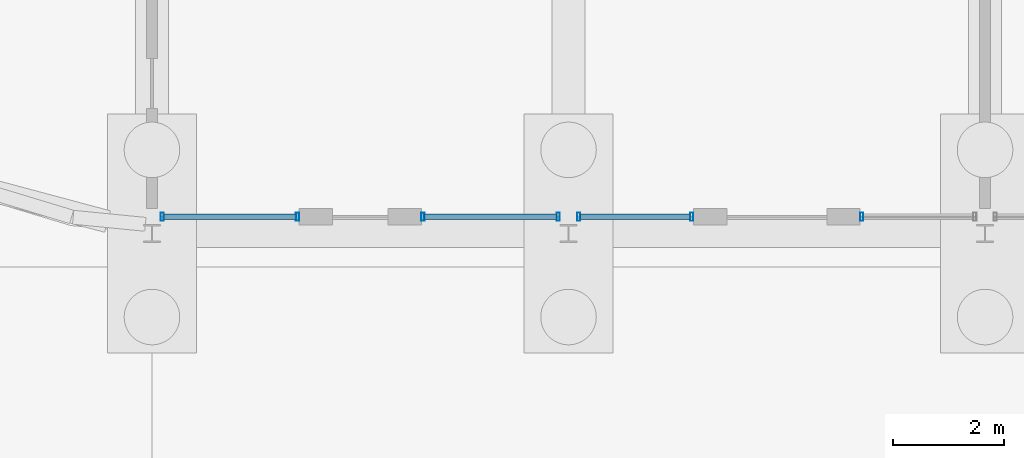
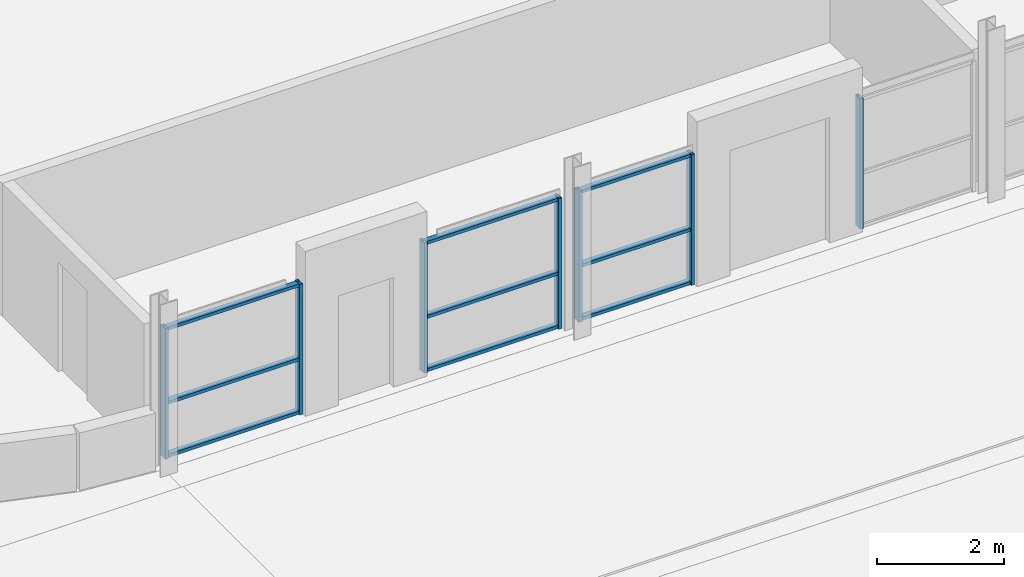
# One storey, part 48 of 130: 16 members, 4 elements without a shape of their own.
"""IFC4 building model written with IfcOpenShell, lengths in metres."""

from ifc_helpers import new_model, si_unit, direction, frame, origin, origin_2d, place, context, subcontext, project, spatial, hollow_rectangle, extrude, material, material_profile, profile_set, type_object, element, aggregate, save


model = new_model("IFC4")

# Units and contexts
model_context = context("Model", 3, precision=1e-05, world=origin(), true_north=direction((0.0, 1.0)))
body_context = subcontext(model_context, "Body", "Model", "MODEL_VIEW")
ifc_project = project(units=[si_unit("LENGTHUNIT", "METRE"), si_unit("AREAUNIT", "SQUARE_METRE"), si_unit("VOLUMEUNIT", "CUBIC_METRE"), si_unit("PLANEANGLEUNIT", "RADIAN"), si_unit("MASSUNIT", "GRAM", prefix="KILO")], contexts=[model_context])

# Site, building, storey
site_placement = place(None, origin())
site = spatial("IfcSite", under=ifc_project, at=site_placement, CompositionType="ELEMENT")
building_placement = place(site_placement, origin())
building = spatial("IfcBuilding", under=site, at=building_placement, Name="Parallax Yard Mobility Hub", CompositionType="ELEMENT")
storey_placement = place(building_placement, origin())
storey = spatial("IfcBuildingStorey", under=building, at=storey_placement, Name="L00", CompositionType="ELEMENT", Elevation=0.0)

# Curtain wall, members
ifc_material_1 = material(Name="Aluminium and glass curtain wall", Category="aluminium")
curtain_wall_type = type_object("IfcCurtainWallType", Name="Curtain wall, aluminium stick system", PredefinedType="NOTDEFINED", material=ifc_material_1)
curtain_wall_1_placement = place(storey_placement, origin())
curtain_wall_1 = element("IfcCurtainWall", 1, at=curtain_wall_1_placement, inside=storey, type_object=curtain_wall_type, Name="Curtain wall CW01 level L00 bay 1", PredefinedType="NOTDEFINED")
ifc_material_2 = material(Name="Aluminium 6063-T6 anodised", Category="aluminium")
ifc_material_profile_1 = material_profile(ifc_material_2, hollow_rectangle(XDim=0.14990234375, YDim=0.06005859375, WallThickness=0.00390625, at=origin_2d()), Name="RHS 60x150x4")
ifc_profile_set_1 = profile_set([ifc_material_profile_1], Name="Aluminium 6063-T6 anodised")
member_type_1 = type_object("IfcMemberType", Name="Curtain wall mullion RHS 60x150x4", PredefinedType="MULLION", material=ifc_profile_set_1)
member_1_placement = place(storey_placement, frame((30.18505859375, 112.800048828125, 0.0), z_axis=(0.0, 0.0, 1.0), x_axis=(0.0, 1.0, 0.0)))
member_1 = element("IfcMember", 2, at=member_1_placement, type_object=member_type_1, Name="CW01 mullion 1", PredefinedType="MULLION", context=body_context, shape_type="SweptSolid", body=[
    extrude(hollow_rectangle(XDim=0.14990234375, YDim=0.06005859375, WallThickness=0.00390625, at=origin_2d()), origin(), (0.0, 0.0, 1.0), 2.5),
])
member_2_placement = place(storey_placement, frame((32.620849609375, 112.800048828125, 0.0), z_axis=(0.0, 0.0, 1.0), x_axis=(0.0, 1.0, 0.0)))
member_2 = element("IfcMember", 3, at=member_2_placement, type_object=member_type_1, Name="CW01 mullion 2", PredefinedType="MULLION", context=body_context, shape_type="SweptSolid", body=[
    extrude(hollow_rectangle(XDim=0.14990234375, YDim=0.06005859375, WallThickness=0.00390625, at=origin_2d()), origin(), (0.0, 0.0, 1.0), 2.5),
])

curtain_wall_2_placement = place(storey_placement, origin())
curtain_wall_2 = element("IfcCurtainWall", 4, at=curtain_wall_2_placement, inside=storey, type_object=curtain_wall_type, Name="Curtain wall CW02 level L00 bay 1", PredefinedType="NOTDEFINED")
member_3_placement = place(storey_placement, frame((34.880615234375, 112.800048828125, 0.0), z_axis=(0.0, 0.0, 1.0), x_axis=(0.0, 1.0, 0.0)))
member_3 = element("IfcMember", 5, at=member_3_placement, type_object=member_type_1, Name="CW02 mullion 1", PredefinedType="MULLION", context=body_context, shape_type="SweptSolid", body=[
    extrude(hollow_rectangle(XDim=0.14990234375, YDim=0.06005859375, WallThickness=0.00390625, at=origin_2d()), origin(), (0.0, 0.0, 1.0), 2.5),
])
member_4_placement = place(storey_placement, frame((37.31640625, 112.800048828125, 0.0), z_axis=(0.0, 0.0, 1.0), x_axis=(0.0, 1.0, 0.0)))
member_4 = element("IfcMember", 6, at=member_4_placement, type_object=member_type_1, Name="CW02 mullion 2", PredefinedType="MULLION", context=body_context, shape_type="SweptSolid", body=[
    extrude(hollow_rectangle(XDim=0.14990234375, YDim=0.06005859375, WallThickness=0.00390625, at=origin_2d()), origin(), (0.0, 0.0, 1.0), 2.5),
])

curtain_wall_3_placement = place(storey_placement, origin())
curtain_wall_3 = element("IfcCurtainWall", 7, at=curtain_wall_3_placement, inside=storey, type_object=curtain_wall_type, Name="Curtain wall CW03 level L00 bay 2", PredefinedType="NOTDEFINED")
member_5_placement = place(storey_placement, frame((37.68359375, 112.800048828125, 0.0), z_axis=(0.0, 0.0, 1.0), x_axis=(0.0, 1.0, 0.0)))
member_5 = element("IfcMember", 8, at=member_5_placement, type_object=member_type_1, Name="CW03 mullion 1", PredefinedType="MULLION", context=body_context, shape_type="SweptSolid", body=[
    extrude(hollow_rectangle(XDim=0.14990234375, YDim=0.06005859375, WallThickness=0.00390625, at=origin_2d()), origin(), (0.0, 0.0, 1.0), 2.5),
])
member_6_placement = place(storey_placement, frame((39.719970703125, 112.800048828125, 0.0), z_axis=(0.0, 0.0, 1.0), x_axis=(0.0, 1.0, 0.0)))
member_6 = element("IfcMember", 9, at=member_6_placement, type_object=member_type_1, Name="CW03 mullion 2", PredefinedType="MULLION", context=body_context, shape_type="SweptSolid", body=[
    extrude(hollow_rectangle(XDim=0.14990234375, YDim=0.06005859375, WallThickness=0.00390625, at=origin_2d()), origin(), (0.0, 0.0, 1.0), 2.5),
])

# Curtain wall, member
curtain_wall_4_placement = place(storey_placement, origin())
curtain_wall_4 = element("IfcCurtainWall", 10, at=curtain_wall_4_placement, inside=storey, type_object=curtain_wall_type, Name="Curtain wall CW04 level L00 bay 2", PredefinedType="NOTDEFINED")
member_7_placement = place(storey_placement, frame((42.780029296875, 112.800048828125, 0.0), z_axis=(0.0, 0.0, 1.0), x_axis=(0.0, 1.0, 0.0)))
member_7 = element("IfcMember", 11, at=member_7_placement, type_object=member_type_1, Name="CW04 mullion 1", PredefinedType="MULLION", context=body_context, shape_type="SweptSolid", body=[
    extrude(hollow_rectangle(XDim=0.14990234375, YDim=0.06005859375, WallThickness=0.00390625, at=origin_2d()), origin(), (0.0, 0.0, 1.0), 2.5),
])
aggregate(curtain_wall_4, [member_7])

# Member
ifc_material_profile_2 = material_profile(ifc_material_2, hollow_rectangle(XDim=0.10009765625, YDim=0.06005859375, WallThickness=0.00390625, at=origin_2d()), Name="RHS 60x100x4")
ifc_profile_set_2 = profile_set([ifc_material_profile_2], Name="Aluminium 6063-T6 anodised")
member_type_2 = type_object("IfcMemberType", Name="Curtain wall transom RHS 60x100x4", PredefinedType="USERDEFINED", material=ifc_profile_set_2)
member_8_placement = place(storey_placement, frame((30.215087890625, 112.800048828125, 0.030029296875), z_axis=(1.0, 0.0, 0.0), x_axis=(0.0, 1.0, 0.0)))
member_8 = element("IfcMember", 12, at=member_8_placement, type_object=member_type_2, Name="CW01 transom 1.1", ObjectType="TRANSOM", PredefinedType="USERDEFINED", context=body_context, shape_type="SweptSolid", body=[
    extrude(hollow_rectangle(XDim=0.10009765625, YDim=0.06005859375, WallThickness=0.00390625, at=origin_2d()), origin(), (0.0, 0.0, 1.0), 2.375732421875),
])

member_9_placement = place(storey_placement, frame((30.215087890625, 112.800048828125, 1.050048828125), z_axis=(1.0, 0.0, 0.0), x_axis=(0.0, 1.0, 0.0)))
member_9 = element("IfcMember", 13, at=member_9_placement, type_object=member_type_2, Name="CW01 transom 1.2", ObjectType="TRANSOM", PredefinedType="USERDEFINED", context=body_context, shape_type="SweptSolid", body=[
    extrude(hollow_rectangle(XDim=0.10009765625, YDim=0.06005859375, WallThickness=0.00390625, at=origin_2d()), origin(), (0.0, 0.0, 1.0), 2.375732421875),
])

member_10_placement = place(storey_placement, frame((30.215087890625, 112.800048828125, 2.469970703125), z_axis=(1.0, 0.0, 0.0), x_axis=(0.0, 1.0, 0.0)))
member_10 = element("IfcMember", 14, at=member_10_placement, type_object=member_type_2, Name="CW01 transom 1.3", ObjectType="TRANSOM", PredefinedType="USERDEFINED", context=body_context, shape_type="SweptSolid", body=[
    extrude(hollow_rectangle(XDim=0.10009765625, YDim=0.06005859375, WallThickness=0.00390625, at=origin_2d()), origin(), (0.0, 0.0, 1.0), 2.375732421875),
])

aggregate(curtain_wall_1, [member_1, member_2, member_8, member_9, member_10])

member_11_placement = place(storey_placement, frame((34.91064453125, 112.800048828125, 0.030029296875), z_axis=(1.0, 0.0, 0.0), x_axis=(0.0, 1.0, 0.0)))
member_11 = element("IfcMember", 15, at=member_11_placement, type_object=member_type_2, Name="CW02 transom 1.1", ObjectType="TRANSOM", PredefinedType="USERDEFINED", context=body_context, shape_type="SweptSolid", body=[
    extrude(hollow_rectangle(XDim=0.10009765625, YDim=0.06005859375, WallThickness=0.00390625, at=origin_2d()), origin(), (0.0, 0.0, 1.0), 2.3759765625),
])

member_12_placement = place(storey_placement, frame((34.91064453125, 112.800048828125, 1.050048828125), z_axis=(1.0, 0.0, 0.0), x_axis=(0.0, 1.0, 0.0)))
member_12 = element("IfcMember", 16, at=member_12_placement, type_object=member_type_2, Name="CW02 transom 1.2", ObjectType="TRANSOM", PredefinedType="USERDEFINED", context=body_context, shape_type="SweptSolid", body=[
    extrude(hollow_rectangle(XDim=0.10009765625, YDim=0.06005859375, WallThickness=0.00390625, at=origin_2d()), origin(), (0.0, 0.0, 1.0), 2.3759765625),
])

member_13_placement = place(storey_placement, frame((34.91064453125, 112.800048828125, 2.469970703125), z_axis=(1.0, 0.0, 0.0), x_axis=(0.0, 1.0, 0.0)))
member_13 = element("IfcMember", 17, at=member_13_placement, type_object=member_type_2, Name="CW02 transom 1.3", ObjectType="TRANSOM", PredefinedType="USERDEFINED", context=body_context, shape_type="SweptSolid", body=[
    extrude(hollow_rectangle(XDim=0.10009765625, YDim=0.06005859375, WallThickness=0.00390625, at=origin_2d()), origin(), (0.0, 0.0, 1.0), 2.3759765625),
])

aggregate(curtain_wall_2, [member_3, member_4, member_11, member_12, member_13])

member_14_placement = place(storey_placement, frame((37.71337890625, 112.800048828125, 0.030029296875), z_axis=(1.0, 0.0, 0.0), x_axis=(0.0, 1.0, 0.0)))
member_14 = element("IfcMember", 18, at=member_14_placement, type_object=member_type_2, Name="CW03 transom 1.1", ObjectType="TRANSOM", PredefinedType="USERDEFINED", context=body_context, shape_type="SweptSolid", body=[
    extrude(hollow_rectangle(XDim=0.10009765625, YDim=0.06005859375, WallThickness=0.00390625, at=origin_2d()), origin(), (0.0, 0.0, 1.0), 1.9765625),
])

member_15_placement = place(storey_placement, frame((37.71337890625, 112.800048828125, 1.050048828125), z_axis=(1.0, 0.0, 0.0), x_axis=(0.0, 1.0, 0.0)))
member_15 = element("IfcMember", 19, at=member_15_placement, type_object=member_type_2, Name="CW03 transom 1.2", ObjectType="TRANSOM", PredefinedType="USERDEFINED", context=body_context, shape_type="SweptSolid", body=[
    extrude(hollow_rectangle(XDim=0.10009765625, YDim=0.06005859375, WallThickness=0.00390625, at=origin_2d()), origin(), (0.0, 0.0, 1.0), 1.9765625),
])

member_16_placement = place(storey_placement, frame((37.71337890625, 112.800048828125, 2.469970703125), z_axis=(1.0, 0.0, 0.0), x_axis=(0.0, 1.0, 0.0)))
member_16 = element("IfcMember", 20, at=member_16_placement, type_object=member_type_2, Name="CW03 transom 1.3", ObjectType="TRANSOM", PredefinedType="USERDEFINED", context=body_context, shape_type="SweptSolid", body=[
    extrude(hollow_rectangle(XDim=0.10009765625, YDim=0.06005859375, WallThickness=0.00390625, at=origin_2d()), origin(), (0.0, 0.0, 1.0), 1.9765625),
])

aggregate(curtain_wall_3, [member_5, member_6, member_14, member_15, member_16])

save(model, "model.ifc")
